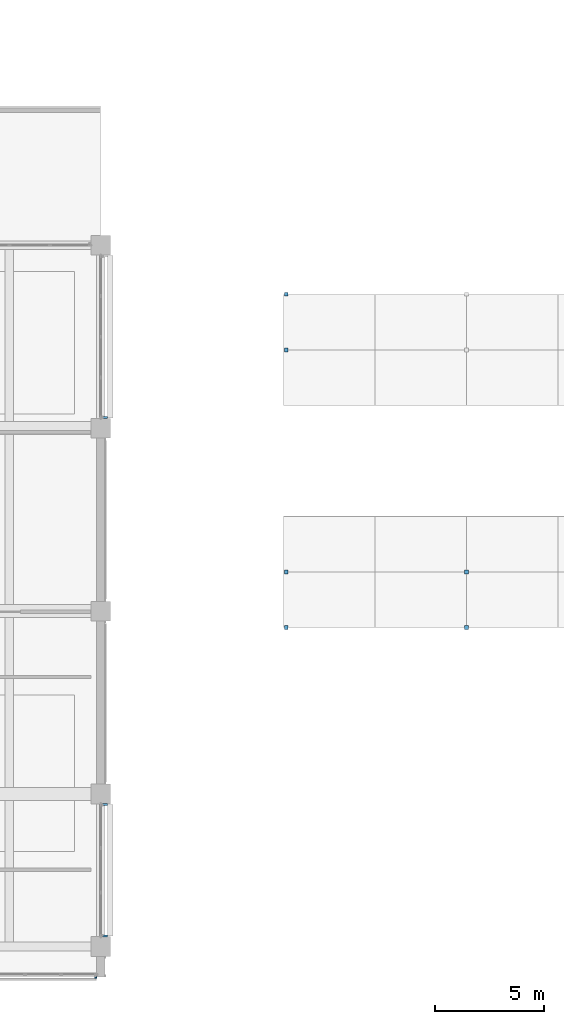
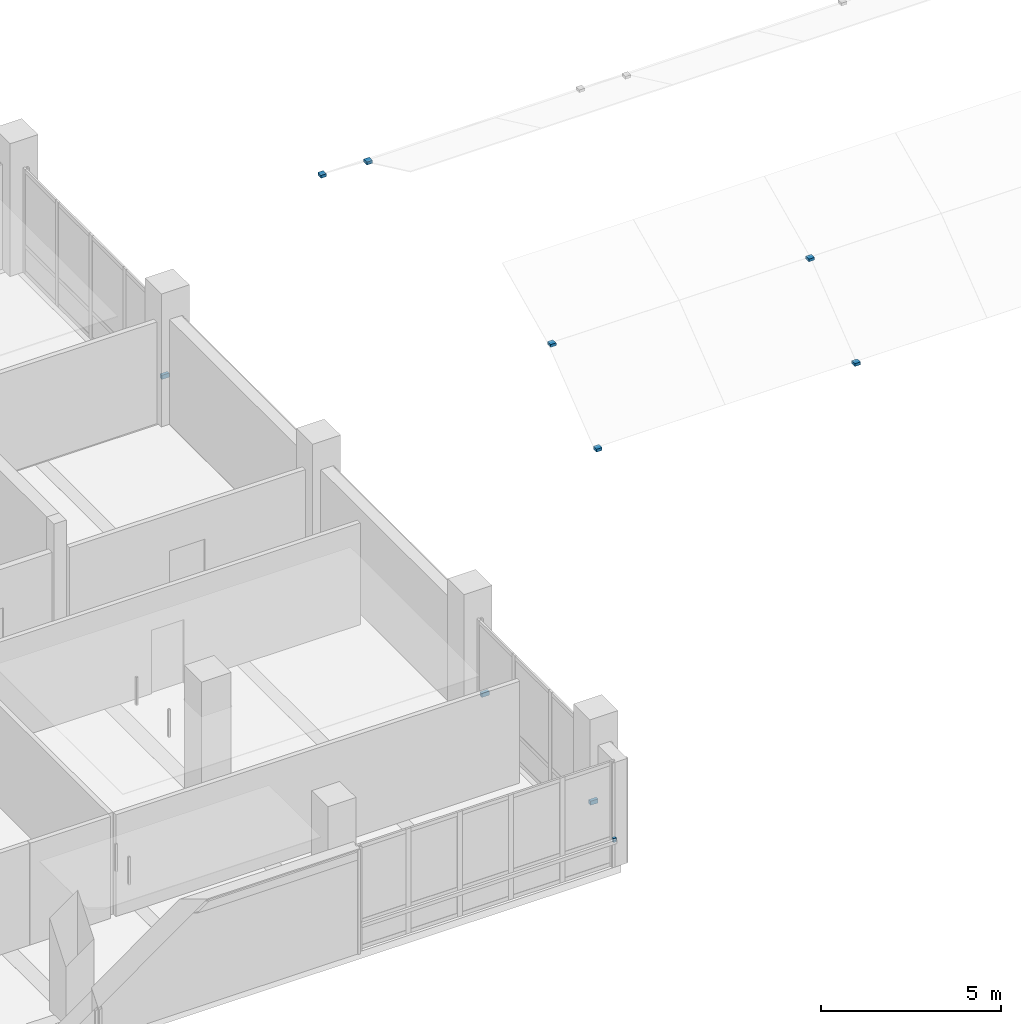
# One storey, part 33 of 59: 10 discrete accessories.
"""IFC4 building model written with IfcOpenShell, lengths in metres."""

import ifcopenshell
import ifcopenshell.guid

model = None  # the IFC model being written
_history = None  # IfcOwnerHistory: only IFC2X3 demands one
_inside = {}  # id of a spatial element -> (the spatial element, [elements in it])
_under = {}  # id of a project, library or spatial element -> (it, [spatial elements below it])
_declared = {}  # id of a project -> (the project, [libraries it declares])
_typed = {}  # id of a type object -> (the type object, [elements of that type])
_made_of = {}  # id of a material, layer set ... -> (it, [elements and type objects made of it])


def new_model(schema):
    """Start an empty IFC model of exactly this schema.

    Asked for "IFC4X3", IfcOpenShell would pick the latest addendum, in which some entities
    have other attributes; the version numbers below select the first issue.
    IFC2X3 requires an IfcOwnerHistory on every rooted entity: one is made here for all.
    """
    global model, _history
    if schema == "IFC4X3":
        model = ifcopenshell.file(schema_version=(4, 3, 0, 0))
    else:
        model = ifcopenshell.file(schema=schema)
    _inside.clear()
    _under.clear()
    _declared.clear()
    _typed.clear()
    _made_of.clear()
    _history = None
    if model.schema == "IFC2X3":
        org = make("IfcOrganization", Name="unknown")
        user = make(
            "IfcPersonAndOrganization",
            ThePerson=make("IfcPerson", FamilyName="unknown"),
            TheOrganization=org,
        )
        app = make(
            "IfcApplication",
            ApplicationDeveloper=org,
            Version="unknown",
            ApplicationFullName="unknown",
            ApplicationIdentifier="unknown",
        )
        _history = make(
            "IfcOwnerHistory",
            OwningUser=user,
            OwningApplication=app,
            ChangeAction="ADDED",
            CreationDate=0,
        )
    return model


def make(cls, **values):
    """One entity of the class cls with the attributes given. An attribute that is None is left unset."""
    return model.create_entity(
        cls, **{name: value for name, value in values.items() if value is not None}
    )


def rooted(cls, **values):
    """An entity with a GlobalId (a new one), such as an element, a storey or a relation."""
    return make(cls, GlobalId=ifcopenshell.guid.new(), OwnerHistory=_history, **values)


def si_unit(unit_type, name, prefix=None):
    """IfcSIUnit, for example si_unit("LENGTHUNIT", "METRE", prefix="MILLI")."""
    return make("IfcSIUnit", UnitType=unit_type, Prefix=prefix, Name=name)


def assignment(units):
    """IfcUnitAssignment: the units of a project."""
    return None if units is None else make("IfcUnitAssignment", Units=units)


def point(xyz):
    """IfcCartesianPoint."""
    return None if xyz is None else make("IfcCartesianPoint", Coordinates=xyz)


def direction(xyz):
    """IfcDirection."""
    return None if xyz is None else make("IfcDirection", DirectionRatios=xyz)


def frame(location, z_axis=None, x_axis=None):
    """IfcAxis2Placement3D, a coordinate frame: its origin and axes. An axis left out is left unset."""
    return make(
        "IfcAxis2Placement3D",
        Location=point(location),
        Axis=direction(z_axis),
        RefDirection=direction(x_axis),
    )


def frame_2d(location, x_axis=None):
    """IfcAxis2Placement2D, a coordinate frame in the plane: its origin and x axis."""
    return make(
        "IfcAxis2Placement2D", Location=point(location), RefDirection=direction(x_axis)
    )


def origin():
    """The frame at (0, 0, 0) with its axes left unset."""
    return frame((0.0, 0.0, 0.0))


def origin_2d():
    """The frame at (0, 0) in the plane with its x axis left unset."""
    return frame_2d((0.0, 0.0))


def place(relative_to, where):
    """IfcLocalPlacement: puts the frame where relative to a parent placement (None: the world)."""
    return make(
        "IfcLocalPlacement", PlacementRelTo=relative_to, RelativePlacement=where
    )


def context(
    kind, dimensions, precision=None, world=None, true_north=None, identifier=None
):
    """IfcGeometricRepresentationContext, for example the 3D "Model" context."""
    return make(
        "IfcGeometricRepresentationContext",
        ContextIdentifier=identifier,
        ContextType=kind,
        CoordinateSpaceDimension=dimensions,
        Precision=precision,
        WorldCoordinateSystem=world,
        TrueNorth=true_north,
    )


def subcontext(parent, identifier, kind, view, scale=None):
    """IfcGeometricRepresentationSubContext, for example "Body" below "Model"."""
    return make(
        "IfcGeometricRepresentationSubContext",
        ContextIdentifier=identifier,
        ContextType=kind,
        ParentContext=parent,
        TargetScale=scale,
        TargetView=view,
    )


def project(units=None, contexts=None):
    """IfcProject with its units and contexts."""
    return rooted(
        "IfcProject",
        Name="project",
        RepresentationContexts=contexts,
        UnitsInContext=assignment(units),
    )


def spatial(cls, under=None, at=None, **own):
    """A site, building, storey or space (cls), placed at a placement, below another one or the project."""
    s = rooted(cls, ObjectPlacement=at, **own)
    if under is not None:
        _under.setdefault(under.id(), (under, []))[1].append(s)
    return s


def profile(cls, at=None, kind="AREA", **sizes):
    """A parametric profile (cls). Its sizes go by their IFC names, for example OverallWidth=200.0."""
    return make(cls, ProfileType=kind, Position=at, **sizes)


def rectangle(**sizes):
    """IfcRectangleProfileDef."""
    return profile("IfcRectangleProfileDef", **sizes)


def extrude(swept, where, along, depth):
    """IfcExtrudedAreaSolid: the profile swept, set in the frame where, extruded along a direction by depth."""
    return make(
        "IfcExtrudedAreaSolid",
        SweptArea=swept,
        Position=where,
        ExtrudedDirection=direction(along),
        Depth=depth,
    )


def shape(context_of_items, identifier, shape_type, items):
    """IfcShapeRepresentation: the items that make up one representation, for example the "Body"."""
    return make(
        "IfcShapeRepresentation",
        ContextOfItems=context_of_items,
        RepresentationIdentifier=identifier,
        RepresentationType=shape_type,
        Items=items,
    )


def material(Name=None, Category=None):
    """IfcMaterial."""
    return make("IfcMaterial", Name=Name, Category=Category)


def made_of(thing, what):
    """Note that an element or type object is made of a material, layer set ...; save() writes the relation."""
    if what is not None:
        _made_of.setdefault(what.id(), (what, []))[1].append(thing)
    return thing


def type_object(cls, material=None, **own):
    """A type object (cls), such as IfcWallType, which elements share."""
    return made_of(rooted(cls, **own), material)


def element(
    cls,
    number,
    at=None,
    inside=None,
    cuts=None,
    type_object=None,
    material=None,
    context=None,
    identifier="Body",
    shape_type=None,
    held_by="IfcProductDefinitionShape",
    body=None,
    shapes=None,
    **own,
):
    """One element of the class cls, such as IfcWall. Its Tag is "e" and its number.

    at: its placement. inside: the storey or other place that contains it. cuts: it is an
    opening in that element (IfcRelVoidsElement). A single representation is given by context,
    identifier, shape_type and body (its items); several are given by shapes. held_by: the class
    of the entity that holds the representations. save() writes the other relations.
    """
    e = rooted(cls, Tag="e%d" % number, ObjectPlacement=at, **own)
    if body is not None:
        shapes = [shape(context, identifier, shape_type, body)]
    if shapes is not None:
        e.Representation = make(held_by, Representations=shapes)
    if inside is not None:
        _inside.setdefault(inside.id(), (inside, []))[1].append(e)
    if cuts is not None:
        rooted(
            "IfcRelVoidsElement", RelatingBuildingElement=cuts, RelatedOpeningElement=e
        )
    if type_object is not None:
        _typed.setdefault(type_object.id(), (type_object, []))[1].append(e)
    return made_of(e, material)


def aggregate(whole, parts):
    """IfcRelAggregates: a whole, such as a stair, and the parts it consists of."""
    return rooted("IfcRelAggregates", RelatingObject=whole, RelatedObjects=parts)


def save(model, path):
    """Write the relations noted so far, then the file.

    IfcRelAggregates (storeys below a building ...), IfcRelContainedInSpatialStructure (elements
    in a storey), IfcRelDefinesByType, IfcRelAssociatesMaterial and IfcRelDeclares: one each for
    every whole, place, type object, material and project.
    """
    for whole, parts in _under.values():
        aggregate(whole, parts)
    for where, things in _inside.values():
        rooted(
            "IfcRelContainedInSpatialStructure",
            RelatedElements=things,
            RelatingStructure=where,
        )
    for kind, things in _typed.values():
        rooted("IfcRelDefinesByType", RelatedObjects=things, RelatingType=kind)
    for what, things in _made_of.values():
        rooted("IfcRelAssociatesMaterial", RelatedObjects=things, RelatingMaterial=what)
    for by, libraries in _declared.values():
        rooted("IfcRelDeclares", RelatingContext=by, RelatedDefinitions=libraries)
    model.write(path)


model = new_model("IFC4")

# Units and contexts
model_context = context("Model", 3, precision=1e-05, world=origin(), true_north=direction((0.0, 1.0)))
body_context = subcontext(model_context, "Body", "Model", "MODEL_VIEW")
ifc_project = project(units=[si_unit("LENGTHUNIT", "METRE"), si_unit("AREAUNIT", "SQUARE_METRE"), si_unit("VOLUMEUNIT", "CUBIC_METRE"), si_unit("PLANEANGLEUNIT", "RADIAN"), si_unit("MASSUNIT", "GRAM", prefix="KILO")], contexts=[model_context])

# Site, building, storey
site_placement = place(None, origin())
site = spatial("IfcSite", under=ifc_project, at=site_placement, CompositionType="ELEMENT")
building_placement = place(site_placement, origin())
building = spatial("IfcBuilding", under=site, at=building_placement, Name="Telukmera Botanical Conservatory", CompositionType="ELEMENT")
storey_placement = place(building_placement, frame((0.0, 0.0, 15.0)))
storey = spatial("IfcBuildingStorey", under=building, at=storey_placement, Name="L03", CompositionType="ELEMENT", Elevation=15.0)

# Discrete accessories
ifc_material = material(Name="Steel S355", Category="steel")
discrete_accessory_type_1 = type_object("IfcDiscreteAccessoryType", Name="Structural Steel Facade Outrigger Fin Bracket", PredefinedType="BRACKET", material=ifc_material)
discrete_accessory_placement = place(storey_placement, frame((108.9755859375, 9.195068359375, 0.8798828125), z_axis=(0.0, 0.0, 1.0), x_axis=(1.0, 0.0, 0.0)))
element("IfcDiscreteAccessory", 1, at=discrete_accessory_placement, inside=storey, type_object=discrete_accessory_type_1, Name="Facade Outrigger Bracket V4:L03:S7 B", PredefinedType="BRACKET", context=body_context, shape_type="SweptSolid", body=[
    extrude(rectangle(XDim=0.10009765625, YDim=0.090087890625, at=origin_2d()), origin(), (0.0, 0.0, 1.0), 0.139892578125),
])
for number, where, z_axis, x_axis, name in (
    (2, (109.39990234375, 11.08447265625, 0.8798828125), (0.0, 0.0, 1.0), (0.0, 1.0, 0.0), "Facade Outrigger Bracket V4:L03:E1 A"),
    (3, (109.39990234375, 17.115478515625, 0.8798828125), (0.0, 0.0, 1.0), (0.0, 1.0, 0.0), "Facade Outrigger Bracket V4:L03:E1 B"),
    (4, (109.39990234375, 34.884521484375, 0.8798828125), (0.0, 0.0, 1.0), (0.0, 1.0, 0.0), "Facade Outrigger Bracket V4:L03:E4 A"),
):
    element("IfcDiscreteAccessory", number, at=place(storey_placement, frame(where, z_axis=z_axis, x_axis=x_axis)), inside=storey, type_object=discrete_accessory_type_1, Name=name, PredefinedType="BRACKET", context=body_context, shape_type="SweptSolid", body=[
        extrude(rectangle(XDim=0.10009765625, YDim=0.239990234375, at=origin_2d()), origin(), (0.0, 0.0, 1.0), 0.139892578125),
    ])
discrete_accessory_type_2 = type_object("IfcDiscreteAccessoryType", Name="Structural Steel Gridshell Glazing Shoe Bracket", PredefinedType="BRACKET", material=ifc_material)
for number, where, z_axis, x_axis, name in (
    (5, (117.719970703125, 25.25, 1.365234375), (0.0, 0.0, 1.0), (1.0, 0.0, 0.0), "Conservatory Node Glazing Spider Bracket 00-03"),
    (6, (117.719970703125, 27.800048828125, 3.365234375), (0.0, 0.0, 1.0), (1.0, 0.0, 0.0), "Conservatory Node Glazing Spider Bracket 00-04"),
    (7, (117.719970703125, 38.0, 3.365234375), (0.0, 0.0, 1.0), (1.0, 0.0, 0.0), "Conservatory Node Glazing Spider Bracket 00-08"),
    (8, (117.719970703125, 40.550048828125, 1.365234375), (0.0, 0.0, 1.0), (1.0, 0.0, 0.0), "Conservatory Node Glazing Spider Bracket 00-09"),
    (9, (126.0, 25.25, 1.365234375), (0.0, 0.0, 1.0), (1.0, 0.0, 0.0), "Conservatory Node Glazing Spider Bracket 02-03"),
    (10, (126.0, 27.800048828125, 3.365234375), (0.0, 0.0, 1.0), (1.0, 0.0, 0.0), "Conservatory Node Glazing Spider Bracket 02-04"),
):
    element("IfcDiscreteAccessory", number, at=place(storey_placement, frame(where, z_axis=z_axis, x_axis=x_axis)), inside=storey, type_object=discrete_accessory_type_2, Name=name, PredefinedType="BRACKET", context=body_context, shape_type="SweptSolid", body=[
        extrude(rectangle(XDim=0.179931640625, YDim=0.179931640625, at=origin_2d()), origin(), (0.0, 0.0, 1.0), 0.094970703125),
    ])

save(model, "model.ifc")
